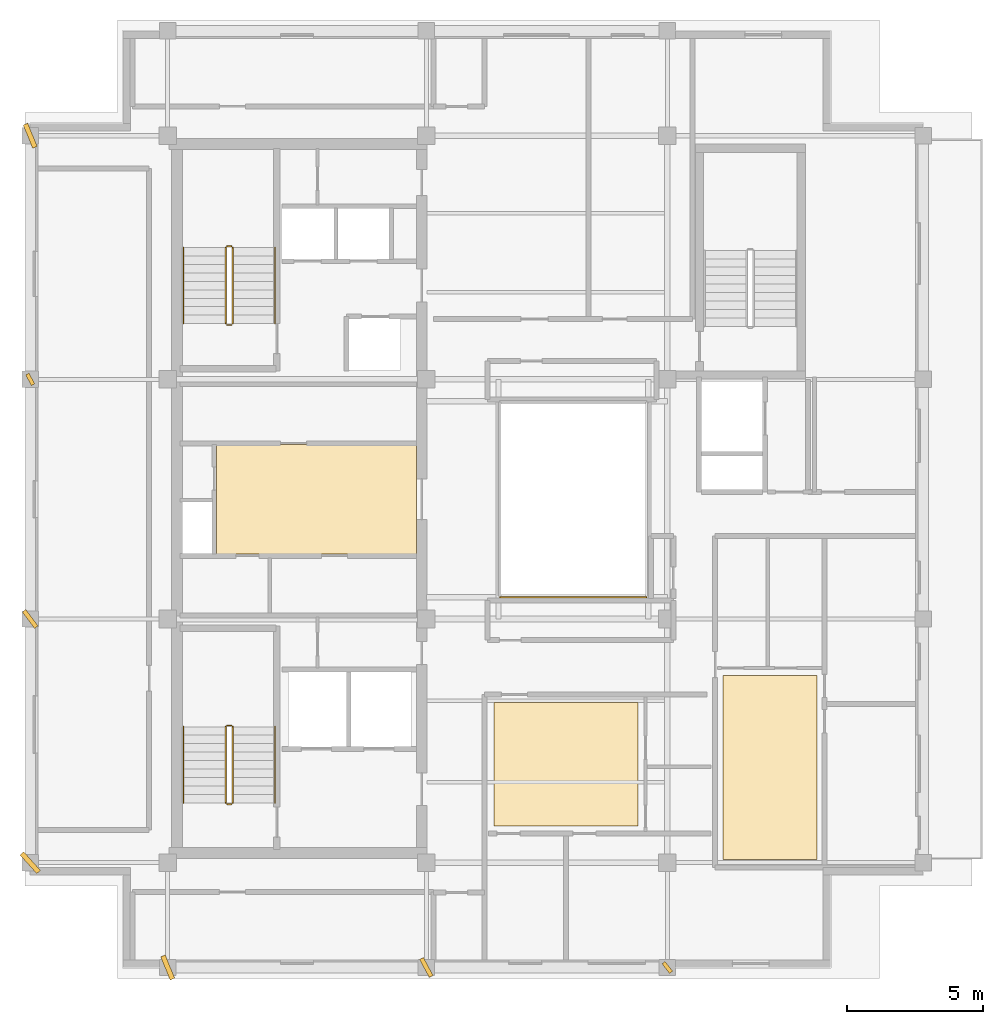
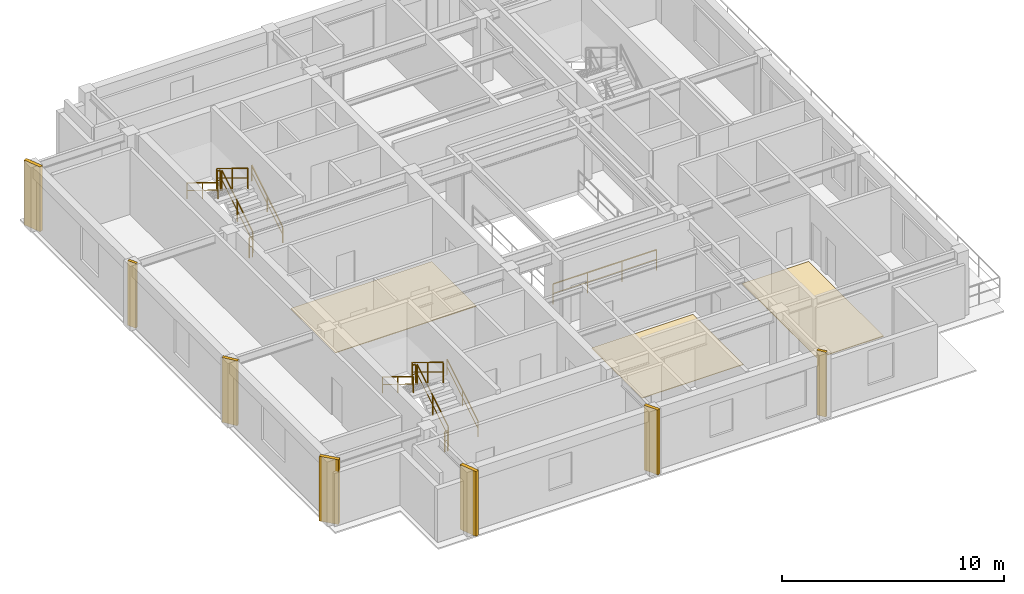
# One storey, part 7 of 9: 13 railings, 7 shading devices, 3 coverings.
"""IFC4 building model written with IfcOpenShell, lengths in metres."""

from ifc_helpers import new_model, si_unit, direction, frame, origin, origin_2d, place, context, subcontext, project, spatial, polyline, rectangle, outline, extrude, material, layer, layer_set, type_object, element, save


model = new_model("IFC4")

# Units and contexts
model_context = context("Model", 3, precision=1e-05, world=origin(), true_north=direction((0.0, 1.0)))
body_context = subcontext(model_context, "Body", "Model", "MODEL_VIEW")
ifc_project = project(units=[si_unit("LENGTHUNIT", "METRE"), si_unit("AREAUNIT", "SQUARE_METRE"), si_unit("VOLUMEUNIT", "CUBIC_METRE"), si_unit("PLANEANGLEUNIT", "RADIAN"), si_unit("MASSUNIT", "GRAM", prefix="KILO")], contexts=[model_context])

# Site, building, storey
site_placement = place(None, origin())
site = spatial("IfcSite", under=ifc_project, at=site_placement, CompositionType="ELEMENT")
building_placement = place(site_placement, origin())
building = spatial("IfcBuilding", under=site, at=building_placement, Name="Kundavana Baori Tower", CompositionType="ELEMENT")
storey_placement = place(building_placement, frame((0.0, 0.0, 335.300048828125)))
storey = spatial("IfcBuildingStorey", under=building, at=storey_placement, Name="L83", CompositionType="ELEMENT", Elevation=335.300048828125)

# Coverings
ifc_material_1 = material(Name="Honed Kota Stone and Terrazzo Flooring", Category="masonry")
ifc_layer_1 = layer(ifc_material_1, 0.0400390625, Name="COV-FLR-TERR-40")
ifc_layer_set_1 = layer_set([ifc_layer_1], Name="Honed Kota Stone and Terrazzo Flooring")
covering_type_1 = type_object("IfcCoveringType", Name="COV-FLR-TERR-40", PredefinedType="FLOORING", material=ifc_layer_set_1)
covering_1_placement = place(storey_placement, origin())
element("IfcCovering", 1, at=covering_1_placement, inside=storey, type_object=covering_type_1, Name="L83 Room Finished Stone Flooring 2", PredefinedType="FLOORING", context=body_context, shape_type="SweptSolid", body=[
    extrude(outline(polyline([(35.840087890625, 15.360107421875), (39.2900390625, 15.360107421875), (39.2900390625, 22.1201171875), (35.840087890625, 22.1201171875), (35.840087890625, 15.360107421875)])), origin(), (0.0, 0.0, 1.0), 0.0400390625),
])
covering_2_placement = place(storey_placement, origin())
element("IfcCovering", 2, at=covering_2_placement, inside=storey, type_object=covering_type_1, Name="L83 Core Lift Lobby Kota Stone Flooring", PredefinedType="FLOORING", context=body_context, shape_type="SweptSolid", body=[
    extrude(outline(polyline([(17.25, 26.580078125), (24.580078125, 26.580078125), (24.580078125, 30.60009765625), (17.25, 30.60009765625), (17.25, 26.580078125)])), origin(), (0.0, 0.0, 1.0), 0.0400390625),
])
ifc_material_2 = material(Name="Honed Kota Stone and Terrazzo Flooring", Category="masonry")
ifc_layer_2 = layer(ifc_material_2, 0.030029296875, Name="COV-INT-FLR")
ifc_layer_set_2 = layer_set([ifc_layer_2], Name="Honed Kota Stone and Terrazzo Flooring")
covering_type_2 = type_object("IfcCoveringType", Name="COV-INT-FLR", PredefinedType="FLOORING", material=ifc_layer_set_2)
covering_3_placement = place(storey_placement, origin())
element("IfcCovering", 3, at=covering_3_placement, inside=storey, type_object=covering_type_2, Name="L83 Room Finished Stone Flooring 1", PredefinedType="FLOORING", context=body_context, shape_type="SweptSolid", body=[
    extrude(outline(polyline([(27.43994140625, 16.60009765625), (32.719970703125, 16.60009765625), (32.719970703125, 21.139892578125), (27.43994140625, 21.139892578125), (27.43994140625, 16.60009765625)])), origin(), (0.0, 0.0, 1.0), 0.030029296875),
])

# Railings
ifc_material_3 = material(Name="Architectural Patinated Bronze Metalwork")
railing_type_1 = type_object("IfcRailingType", Name="RL-GRD-1150", PredefinedType="GUARDRAIL", material=ifc_material_3)
railing_1_placement = place(storey_placement, frame((17.840087890625, 17.449951171875, 0.18994140625)))
element("IfcRailing", 4, at=railing_1_placement, inside=storey, type_object=railing_type_1, Name="L83 ST1 stair guard 1", PredefinedType="GUARDRAIL", context=body_context, shape_type="SweptSolid", body=[
    extrude(rectangle(XDim=0.048095703125, YDim=0.048095703125, at=origin_2d()), frame((0.0, 0.0, 1.1259765625), z_axis=(0.0, 0.852609830418, 0.522548061975), x_axis=(-1.0, 0.0, 0.0)), (0.0, 0.0, 1.0), 3.2724609375),
    extrude(rectangle(XDim=0.03125, YDim=0.03125, at=origin_2d()), frame((0.0, 0.0, 0.597900390625), z_axis=(0.0, 0.852609830418, 0.522548061975), x_axis=(-1.0, 0.0, 0.0)), (0.0, 0.0, 1.0), 3.2724609375),
    extrude(rectangle(XDim=0.0419921875, YDim=0.0419921875, at=origin_2d()), origin(), (0.0, 0.0, 1.0), 1.101806640625),
    extrude(rectangle(XDim=0.0419921875, YDim=0.0419921875, at=origin_2d()), frame((0.0, 1.39501953125, 0.85498046875)), (0.0, 0.0, 1.0), 1.101806640625),
    extrude(rectangle(XDim=0.0419921875, YDim=0.0419921875, at=origin_2d()), frame((0.0, 2.7900390625, 1.7099609375)), (0.0, 0.0, 1.0), 1.101806640625),
])
railing_2_placement = place(storey_placement, frame((17.7900390625, 20.2900390625, 1.89990234375)))
element("IfcRailing", 5, at=railing_2_placement, inside=storey, type_object=railing_type_1, Name="L83 ST1 stair guard 2", PredefinedType="GUARDRAIL", context=body_context, shape_type="SweptSolid", body=[
    extrude(rectangle(XDim=0.048095703125, YDim=0.048095703125, at=origin_2d()), frame((0.0, 0.0, 1.1259765625), z_axis=(-1.0, 0.0, 0.0), x_axis=(0.0, -1.0, 0.0)), (0.0, 0.0, 1.0), 0.16015625),
    extrude(rectangle(XDim=0.03125, YDim=0.03125, at=origin_2d()), frame((0.0, 0.0, 0.597900390625), z_axis=(-1.0, 0.0, 0.0), x_axis=(0.0, -1.0, 0.0)), (0.0, 0.0, 1.0), 0.16015625),
    extrude(rectangle(XDim=0.0419921875, YDim=0.0419921875, at=origin_2d()), origin(), (0.0, 0.0, 1.0), 1.101806640625),
    extrude(rectangle(XDim=0.0419921875, YDim=0.0419921875, at=origin_2d()), frame((-0.16015625, 0.0, 0.0)), (0.0, 0.0, 1.0), 1.101806640625),
])
railing_3_placement = place(storey_placement, frame((17.580078125, 20.239990234375, 2.08984375)))
element("IfcRailing", 6, at=railing_3_placement, inside=storey, type_object=railing_type_1, Name="L83 ST1 stair guard 3", PredefinedType="GUARDRAIL", context=body_context, shape_type="SweptSolid", body=[
    extrude(rectangle(XDim=0.048095703125, YDim=0.048095703125, at=origin_2d()), frame((0.0, 0.0, 1.1259765625), z_axis=(0.0, -0.852576590321, 0.522602293945), x_axis=(1.0, 0.0, 0.0)), (0.0, 0.0, 1.0), 3.2724609375),
    extrude(rectangle(XDim=0.03125, YDim=0.03125, at=origin_2d()), frame((0.0, 0.0, 0.597900390625), z_axis=(0.0, -0.852576590321, 0.522602293945), x_axis=(1.0, 0.0, 0.0)), (0.0, 0.0, 1.0), 3.2724609375),
    extrude(rectangle(XDim=0.0419921875, YDim=0.0419921875, at=origin_2d()), origin(), (0.0, 0.0, 1.0), 1.101806640625),
    extrude(rectangle(XDim=0.0419921875, YDim=0.0419921875, at=origin_2d()), frame((0.0, -1.39501953125, 0.85498046875)), (0.0, 0.0, 1.0), 1.101806640625),
    extrude(rectangle(XDim=0.0419921875, YDim=0.0419921875, at=origin_2d()), frame((0.0, -2.7900390625, 1.710205078125)), (0.0, 0.0, 1.0), 1.101806640625),
])
railing_4_placement = place(storey_placement, frame((17.7900390625, 17.39990234375, 0.0)))
element("IfcRailing", 7, at=railing_4_placement, inside=storey, type_object=railing_type_1, Name="L83 ST1 stair guard 4", PredefinedType="GUARDRAIL", context=body_context, shape_type="SweptSolid", body=[
    extrude(rectangle(XDim=0.048095703125, YDim=0.048095703125, at=origin_2d()), frame((0.0, 0.0, 1.1259765625), z_axis=(-1.0, 0.0, 0.0), x_axis=(0.0, -1.0, 0.0)), (0.0, 0.0, 1.0), 0.16015625),
    extrude(rectangle(XDim=0.03125, YDim=0.03125, at=origin_2d()), frame((0.0, 0.0, 0.597900390625), z_axis=(-1.0, 0.0, 0.0), x_axis=(0.0, -1.0, 0.0)), (0.0, 0.0, 1.0), 0.16015625),
    extrude(rectangle(XDim=0.0419921875, YDim=0.0419921875, at=origin_2d()), origin(), (0.0, 0.0, 1.0), 1.101806640625),
    extrude(rectangle(XDim=0.0419921875, YDim=0.0419921875, at=origin_2d()), frame((-0.16015625, 0.0, 0.0)), (0.0, 0.0, 1.0), 1.101806640625),
])
railing_5_placement = place(storey_placement, frame((17.840087890625, 35.050048828125, 0.18994140625)))
element("IfcRailing", 8, at=railing_5_placement, inside=storey, type_object=railing_type_1, Name="L83 ST2 stair guard 1", PredefinedType="GUARDRAIL", context=body_context, shape_type="SweptSolid", body=[
    extrude(rectangle(XDim=0.048095703125, YDim=0.048095703125, at=origin_2d()), frame((0.0, 0.0, 1.1259765625), z_axis=(0.0, 0.852609830418, 0.522548061975), x_axis=(-1.0, 0.0, 0.0)), (0.0, 0.0, 1.0), 3.2724609375),
    extrude(rectangle(XDim=0.03125, YDim=0.03125, at=origin_2d()), frame((0.0, 0.0, 0.597900390625), z_axis=(0.0, 0.852609830418, 0.522548061975), x_axis=(-1.0, 0.0, 0.0)), (0.0, 0.0, 1.0), 3.2724609375),
    extrude(rectangle(XDim=0.0419921875, YDim=0.0419921875, at=origin_2d()), origin(), (0.0, 0.0, 1.0), 1.101806640625),
    extrude(rectangle(XDim=0.0419921875, YDim=0.0419921875, at=origin_2d()), frame((0.0, 1.39501953125, 0.85498046875)), (0.0, 0.0, 1.0), 1.101806640625),
    extrude(rectangle(XDim=0.0419921875, YDim=0.0419921875, at=origin_2d()), frame((0.0, 2.7900390625, 1.7099609375)), (0.0, 0.0, 1.0), 1.101806640625),
])
railing_6_placement = place(storey_placement, frame((17.7900390625, 37.889892578125, 1.89990234375)))
element("IfcRailing", 9, at=railing_6_placement, inside=storey, type_object=railing_type_1, Name="L83 ST2 stair guard 2", PredefinedType="GUARDRAIL", context=body_context, shape_type="SweptSolid", body=[
    extrude(rectangle(XDim=0.048095703125, YDim=0.048095703125, at=origin_2d()), frame((0.0, 0.0, 1.1259765625), z_axis=(-1.0, 0.0, 0.0), x_axis=(0.0, -1.0, 0.0)), (0.0, 0.0, 1.0), 0.16015625),
    extrude(rectangle(XDim=0.03125, YDim=0.03125, at=origin_2d()), frame((0.0, 0.0, 0.597900390625), z_axis=(-1.0, 0.0, 0.0), x_axis=(0.0, -1.0, 0.0)), (0.0, 0.0, 1.0), 0.16015625),
    extrude(rectangle(XDim=0.0419921875, YDim=0.0419921875, at=origin_2d()), origin(), (0.0, 0.0, 1.0), 1.101806640625),
    extrude(rectangle(XDim=0.0419921875, YDim=0.0419921875, at=origin_2d()), frame((-0.16015625, 0.0, 0.0)), (0.0, 0.0, 1.0), 1.101806640625),
])
railing_7_placement = place(storey_placement, frame((17.580078125, 37.840087890625, 2.08984375)))
element("IfcRailing", 10, at=railing_7_placement, inside=storey, type_object=railing_type_1, Name="L83 ST2 stair guard 3", PredefinedType="GUARDRAIL", context=body_context, shape_type="SweptSolid", body=[
    extrude(rectangle(XDim=0.048095703125, YDim=0.048095703125, at=origin_2d()), frame((0.0, 0.0, 1.1259765625), z_axis=(0.0, -0.852576590321, 0.522602293945), x_axis=(1.0, 0.0, 0.0)), (0.0, 0.0, 1.0), 3.2724609375),
    extrude(rectangle(XDim=0.03125, YDim=0.03125, at=origin_2d()), frame((0.0, 0.0, 0.597900390625), z_axis=(0.0, -0.852576590321, 0.522602293945), x_axis=(1.0, 0.0, 0.0)), (0.0, 0.0, 1.0), 3.2724609375),
    extrude(rectangle(XDim=0.0419921875, YDim=0.0419921875, at=origin_2d()), origin(), (0.0, 0.0, 1.0), 1.101806640625),
    extrude(rectangle(XDim=0.0419921875, YDim=0.0419921875, at=origin_2d()), frame((0.0, -1.39501953125, 0.85498046875)), (0.0, 0.0, 1.0), 1.101806640625),
    extrude(rectangle(XDim=0.0419921875, YDim=0.0419921875, at=origin_2d()), frame((0.0, -2.7900390625, 1.710205078125)), (0.0, 0.0, 1.0), 1.101806640625),
])
railing_8_placement = place(storey_placement, frame((17.7900390625, 35.0, 0.0)))
element("IfcRailing", 11, at=railing_8_placement, inside=storey, type_object=railing_type_1, Name="L83 ST2 stair guard 4", PredefinedType="GUARDRAIL", context=body_context, shape_type="SweptSolid", body=[
    extrude(rectangle(XDim=0.048095703125, YDim=0.048095703125, at=origin_2d()), frame((0.0, 0.0, 1.1259765625), z_axis=(-1.0, 0.0, 0.0), x_axis=(0.0, -1.0, 0.0)), (0.0, 0.0, 1.0), 0.16015625),
    extrude(rectangle(XDim=0.03125, YDim=0.03125, at=origin_2d()), frame((0.0, 0.0, 0.597900390625), z_axis=(-1.0, 0.0, 0.0), x_axis=(0.0, -1.0, 0.0)), (0.0, 0.0, 1.0), 0.16015625),
    extrude(rectangle(XDim=0.0419921875, YDim=0.0419921875, at=origin_2d()), origin(), (0.0, 0.0, 1.0), 1.101806640625),
    extrude(rectangle(XDim=0.0419921875, YDim=0.0419921875, at=origin_2d()), frame((-0.16015625, 0.0, 0.0)), (0.0, 0.0, 1.0), 1.101806640625),
])
railing_9_placement = place(storey_placement, frame((27.659912109375, 25.0, 0.0)))
element("IfcRailing", 12, at=railing_9_placement, inside=storey, type_object=railing_type_1, Name="L83 Atrium Void Perimeter Guardrail S", PredefinedType="GUARDRAIL", context=body_context, shape_type="SweptSolid", body=[
    extrude(rectangle(XDim=0.048095703125, YDim=0.048095703125, at=origin_2d()), frame((0.0, 0.0, 1.1259765625), z_axis=(1.0, 0.0, 0.0), x_axis=(0.0, 1.0, 0.0)), (0.0, 0.0, 1.0), 5.380126953125),
    extrude(rectangle(XDim=0.03125, YDim=0.03125, at=origin_2d()), frame((0.0, 0.0, 0.597900390625), z_axis=(1.0, 0.0, 0.0), x_axis=(0.0, 1.0, 0.0)), (0.0, 0.0, 1.0), 5.380126953125),
    extrude(rectangle(XDim=0.0419921875, YDim=0.0419921875, at=origin_2d()), origin(), (0.0, 0.0, 1.0), 1.101806640625),
    extrude(rectangle(XDim=0.0419921875, YDim=0.0419921875, at=origin_2d()), frame((1.79345703125, 0.0, 0.0)), (0.0, 0.0, 1.0), 1.101806640625),
    extrude(rectangle(XDim=0.0419921875, YDim=0.0419921875, at=origin_2d()), frame((3.586669921875, 0.0, 0.0)), (0.0, 0.0, 1.0), 1.101806640625),
    extrude(rectangle(XDim=0.0419921875, YDim=0.0419921875, at=origin_2d()), frame((5.380126953125, 0.0, 0.0)), (0.0, 0.0, 1.0), 1.101806640625),
])
ifc_material_4 = material(Name="Architectural Patinated Bronze Metalwork")
railing_type_2 = type_object("IfcRailingType", Name="RL-HND-920", PredefinedType="HANDRAIL", material=ifc_material_4)
railing_10_placement = place(storey_placement, frame((19.389892578125, 17.449951171875, 0.18994140625)))
element("IfcRailing", 13, at=railing_10_placement, inside=storey, type_object=railing_type_2, Name="L83 ST1 stair handrail 1", PredefinedType="HANDRAIL", context=body_context, shape_type="SweptSolid", body=[
    extrude(rectangle(XDim=0.048095703125, YDim=0.048095703125, at=origin_2d()), frame((0.0, 0.0, 0.8759765625), z_axis=(0.0, 0.852609830418, 0.522548061975), x_axis=(-1.0, 0.0, 0.0)), (0.0, 0.0, 1.0), 3.2724609375),
    extrude(rectangle(XDim=0.03125, YDim=0.03125, at=origin_2d()), frame((0.0, 0.0, 0.468017578125), z_axis=(0.0, 0.852609830418, 0.522548061975), x_axis=(-1.0, 0.0, 0.0)), (0.0, 0.0, 1.0), 3.2724609375),
    extrude(rectangle(XDim=0.0419921875, YDim=0.0419921875, at=origin_2d()), origin(), (0.0, 0.0, 1.0), 0.851806640625),
    extrude(rectangle(XDim=0.0419921875, YDim=0.0419921875, at=origin_2d()), frame((0.0, 1.39501953125, 0.85498046875)), (0.0, 0.0, 1.0), 0.851806640625),
    extrude(rectangle(XDim=0.0419921875, YDim=0.0419921875, at=origin_2d()), frame((0.0, 2.7900390625, 1.7099609375)), (0.0, 0.0, 1.0), 0.851806640625),
])
railing_11_placement = place(storey_placement, frame((16.030029296875, 20.239990234375, 2.08984375)))
element("IfcRailing", 14, at=railing_11_placement, inside=storey, type_object=railing_type_2, Name="L83 ST1 stair handrail 2", PredefinedType="HANDRAIL", context=body_context, shape_type="SweptSolid", body=[
    extrude(rectangle(XDim=0.048095703125, YDim=0.048095703125, at=origin_2d()), frame((0.0, 0.0, 0.8759765625), z_axis=(0.0, -0.852576590321, 0.522602293945), x_axis=(1.0, 0.0, 0.0)), (0.0, 0.0, 1.0), 3.2724609375),
    extrude(rectangle(XDim=0.03125, YDim=0.03125, at=origin_2d()), frame((0.0, 0.0, 0.468017578125), z_axis=(0.0, -0.852576590321, 0.522602293945), x_axis=(1.0, 0.0, 0.0)), (0.0, 0.0, 1.0), 3.2724609375),
    extrude(rectangle(XDim=0.0419921875, YDim=0.0419921875, at=origin_2d()), origin(), (0.0, 0.0, 1.0), 0.851806640625),
    extrude(rectangle(XDim=0.0419921875, YDim=0.0419921875, at=origin_2d()), frame((0.0, -1.39501953125, 0.85498046875)), (0.0, 0.0, 1.0), 0.851806640625),
    extrude(rectangle(XDim=0.0419921875, YDim=0.0419921875, at=origin_2d()), frame((0.0, -2.7900390625, 1.710205078125)), (0.0, 0.0, 1.0), 0.851806640625),
])
railing_12_placement = place(storey_placement, frame((19.389892578125, 35.050048828125, 0.18994140625)))
element("IfcRailing", 15, at=railing_12_placement, inside=storey, type_object=railing_type_2, Name="L83 ST2 stair handrail 1", PredefinedType="HANDRAIL", context=body_context, shape_type="SweptSolid", body=[
    extrude(rectangle(XDim=0.048095703125, YDim=0.048095703125, at=origin_2d()), frame((0.0, 0.0, 0.8759765625), z_axis=(0.0, 0.852609830418, 0.522548061975), x_axis=(-1.0, 0.0, 0.0)), (0.0, 0.0, 1.0), 3.2724609375),
    extrude(rectangle(XDim=0.03125, YDim=0.03125, at=origin_2d()), frame((0.0, 0.0, 0.468017578125), z_axis=(0.0, 0.852609830418, 0.522548061975), x_axis=(-1.0, 0.0, 0.0)), (0.0, 0.0, 1.0), 3.2724609375),
    extrude(rectangle(XDim=0.0419921875, YDim=0.0419921875, at=origin_2d()), origin(), (0.0, 0.0, 1.0), 0.851806640625),
    extrude(rectangle(XDim=0.0419921875, YDim=0.0419921875, at=origin_2d()), frame((0.0, 1.39501953125, 0.85498046875)), (0.0, 0.0, 1.0), 0.851806640625),
    extrude(rectangle(XDim=0.0419921875, YDim=0.0419921875, at=origin_2d()), frame((0.0, 2.7900390625, 1.7099609375)), (0.0, 0.0, 1.0), 0.851806640625),
])
railing_13_placement = place(storey_placement, frame((16.030029296875, 37.840087890625, 2.08984375)))
element("IfcRailing", 16, at=railing_13_placement, inside=storey, type_object=railing_type_2, Name="L83 ST2 stair handrail 2", PredefinedType="HANDRAIL", context=body_context, shape_type="SweptSolid", body=[
    extrude(rectangle(XDim=0.048095703125, YDim=0.048095703125, at=origin_2d()), frame((0.0, 0.0, 0.8759765625), z_axis=(0.0, -0.852576590321, 0.522602293945), x_axis=(1.0, 0.0, 0.0)), (0.0, 0.0, 1.0), 3.2724609375),
    extrude(rectangle(XDim=0.03125, YDim=0.03125, at=origin_2d()), frame((0.0, 0.0, 0.468017578125), z_axis=(0.0, -0.852576590321, 0.522602293945), x_axis=(1.0, 0.0, 0.0)), (0.0, 0.0, 1.0), 3.2724609375),
    extrude(rectangle(XDim=0.0419921875, YDim=0.0419921875, at=origin_2d()), origin(), (0.0, 0.0, 1.0), 0.851806640625),
    extrude(rectangle(XDim=0.0419921875, YDim=0.0419921875, at=origin_2d()), frame((0.0, -1.39501953125, 0.85498046875)), (0.0, 0.0, 1.0), 0.851806640625),
    extrude(rectangle(XDim=0.0419921875, YDim=0.0419921875, at=origin_2d()), frame((0.0, -2.7900390625, 1.710205078125)), (0.0, 0.0, 1.0), 0.851806640625),
])

# Shading devices
ifc_material_5 = material(Name="Red-Buff Dholpur Sandstone Cladding on Concrete C40/50", Category="masonry")
shading_device_type_1 = type_object("IfcShadingDeviceType", Name="SHD-FIN-750", PredefinedType="JALOUSIE", material=ifc_material_5)
for number, where, z_axis, x_axis, name in (
    (17, (24.949951171875, 11.39990234375, 0.0), (0.0, 0.0, 1.0), (0.87948249511, 0.475931235364, 0.0), "L83 Sweeping Dholpur Sandstone Facade Fin 2"),
    (18, (10.39990234375, 24.199951171875, 0.0), (0.0, 0.0, 1.0), (0.800103635968, 0.599861793842, 0.0), "L83 Sweeping Dholpur Sandstone Facade Fin 5"),
):
    element("IfcShadingDevice", number, at=place(storey_placement, frame(where, z_axis=z_axis, x_axis=x_axis)), inside=storey, type_object=shading_device_type_1, Name=name, PredefinedType="JALOUSIE", context=body_context, shape_type="SweptSolid", body=[
        extrude(rectangle(XDim=0.159912109375, YDim=0.75, at=origin_2d()), origin(), (0.0, 0.0, 1.0), 3.56005859375),
    ])
ifc_material_6 = material(Name="Red-Buff Dholpur Sandstone Cladding on Concrete C40/50", Category="masonry")
shading_device_type_2 = type_object("IfcShadingDeviceType", Name="SHD-FIN-920", PredefinedType="JALOUSIE", material=ifc_material_6)
for number, where, z_axis, x_axis, name in (
    (19, (15.449951171875, 11.39990234375, 0.0), (0.0, 0.0, 1.0), (0.925804625051, 0.378002375964, 0.0), "L83 Sweeping Dholpur Sandstone Facade Fin 1"),
    (20, (10.39990234375, 15.25, 0.0), (0.0, 0.0, 1.0), (0.743378350842, 0.668871159118, 0.0), "L83 Sweeping Dholpur Sandstone Facade Fin 4"),
    (21, (10.39990234375, 41.949951171875, 0.0), (0.0, 0.0, 1.0), (0.926987583926, 0.375092014374, 0.0), "L83 Sweeping Dholpur Sandstone Facade Fin 7"),
):
    element("IfcShadingDevice", number, at=place(storey_placement, frame(where, z_axis=z_axis, x_axis=x_axis)), inside=storey, type_object=shading_device_type_2, Name=name, PredefinedType="JALOUSIE", context=body_context, shape_type="SweptSolid", body=[
        extrude(rectangle(XDim=0.179931640625, YDim=0.919921875, at=origin_2d()), origin(), (0.0, 0.0, 1.0), 3.56005859375),
    ])
ifc_material_7 = material(Name="Architectural Patinated Bronze Metalwork")
shading_device_type_3 = type_object("IfcShadingDeviceType", Name="SHD-LOUV-450", PredefinedType="SHUTTER", material=ifc_material_7)
for number, where, z_axis, x_axis, name in (
    (22, (33.800048828125, 11.39990234375, 0.0), (0.0, 0.0, 1.0), (0.78886961078, 0.614560604976, 0.0), "L83 Sweeping Dholpur Sandstone Facade Fin 3"),
    (23, (10.39990234375, 33.0, 0.0), (0.0, 0.0, 1.0), (0.888857259179, 0.45818421274, 0.0), "L83 Sweeping Dholpur Sandstone Facade Fin 6"),
):
    element("IfcShadingDevice", number, at=place(storey_placement, frame(where, z_axis=z_axis, x_axis=x_axis)), inside=storey, type_object=shading_device_type_3, Name=name, PredefinedType="SHUTTER", context=body_context, shape_type="SweptSolid", body=[
        extrude(rectangle(XDim=0.139892578125, YDim=0.449951171875, at=origin_2d()), origin(), (0.0, 0.0, 1.0), 3.56005859375),
    ])

save(model, "model.ifc")
